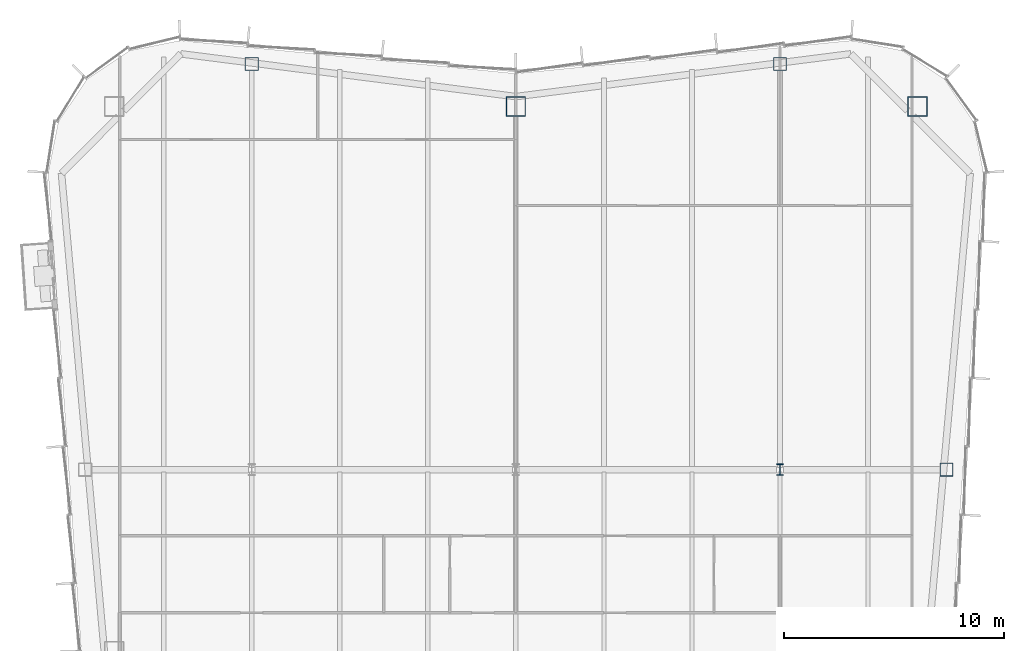
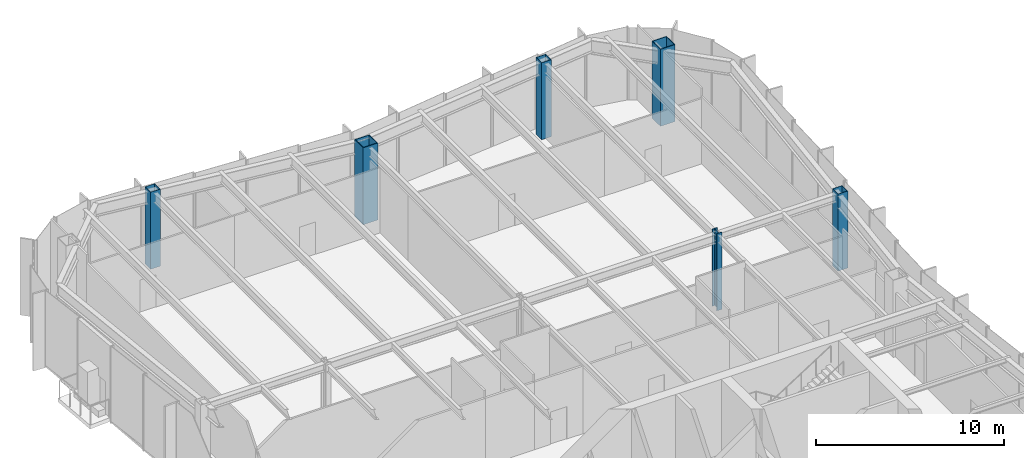
# One storey, part 2 of 14: 6 columns.
"""IFC4 building model written with IfcOpenShell, lengths in metres."""

from ifc_helpers import new_model, si_unit, direction, frame, origin, origin_2d, place, context, subcontext, project, spatial, hollow_rectangle, i_section, extrude, material, material_profile, profile_set, type_object, element, save


model = new_model("IFC4")

# Units and contexts
model_context = context("Model", 3, precision=1e-05, world=origin(), true_north=direction((0.0, 1.0)))
body_context = subcontext(model_context, "Body", "Model", "MODEL_VIEW")
ifc_project = project(units=[si_unit("LENGTHUNIT", "METRE"), si_unit("AREAUNIT", "SQUARE_METRE"), si_unit("VOLUMEUNIT", "CUBIC_METRE"), si_unit("PLANEANGLEUNIT", "RADIAN"), si_unit("MASSUNIT", "GRAM", prefix="KILO")], contexts=[model_context])

# Site, building, storey
site_placement = place(None, origin())
site = spatial("IfcSite", under=ifc_project, at=site_placement, CompositionType="ELEMENT")
building_placement = place(site_placement, origin())
building = spatial("IfcBuilding", under=site, at=building_placement, Name="Verdant Reach Tower", CompositionType="ELEMENT")
storey_placement = place(building_placement, frame((0.0, 0.0, 289.0)))
storey = spatial("IfcBuildingStorey", under=building, at=storey_placement, Name="L66", CompositionType="ELEMENT", Elevation=289.0)

# Columns
ifc_material = material(Name="Steel S460", Category="steel")
ifc_material_profile_1 = material_profile(ifc_material, i_section(OverallWidth=0.305908203125, OverallDepth=0.52392578125, WebThickness=0.012451171875, FlangeThickness=0.0400390625, FilletRadius=0.027099609375, at=origin_2d()), Name="HEM 500")
ifc_profile_set_1 = profile_set([ifc_material_profile_1], Name="Steel S460")
column_type_1 = type_object("IfcColumnType", Name="ST-COL-HEM500", PredefinedType="COLUMN", material=ifc_profile_set_1)
column_placement = place(storey_placement, frame((12.0, 49.5, 0.0), z_axis=(0.0, 0.0, 1.0), x_axis=(1.0, 0.0, 0.0)))
element("IfcColumn", 1, at=column_placement, inside=storey, type_object=column_type_1, Name="Interior column 3, L66", PredefinedType="COLUMN", context=body_context, shape_type="SweptSolid", body=[
    extrude(i_section(OverallWidth=0.305908203125, OverallDepth=0.52392578125, WebThickness=0.012451171875, FlangeThickness=0.0400390625, FilletRadius=0.027099609375, at=origin_2d()), origin(), (0.0, 0.0, 1.0), 5.0),
])
ifc_material_profile_2 = material_profile(ifc_material, hollow_rectangle(XDim=0.60009765625, YDim=0.60009765625, WallThickness=0.02490234375, at=origin_2d()), Name="WB 600x600x25")
ifc_profile_set_2 = profile_set([ifc_material_profile_2], Name="Steel S460")
column_type_2 = type_object("IfcColumnType", Name="ST-COL-WB600x600x25", PredefinedType="COLUMN", material=ifc_profile_set_2)
for number, where, z_axis, x_axis, name in (
    (2, (-12.0, 67.930419921875, 0.0), (0.0, 0.0, 1.0), (1.0, 0.0, 0.0), "Perimeter column north 1, L66"),
    (3, (12.0, 67.930419921875, 0.0), (0.0, 0.0, 1.0), (1.0, 0.0, 0.0), "Perimeter column north 2, L66"),
    (4, (19.569091796875, 49.5, 0.0), (0.0, 0.0, 1.0), (1.0, 0.0, 0.0), "Perimeter column east 2, L66"),
):
    element("IfcColumn", number, at=place(storey_placement, frame(where, z_axis=z_axis, x_axis=x_axis)), inside=storey, type_object=column_type_2, Name=name, PredefinedType="COLUMN", context=body_context, shape_type="SweptSolid", body=[
        extrude(hollow_rectangle(XDim=0.60009765625, YDim=0.60009765625, WallThickness=0.02490234375, at=origin_2d()), origin(), (0.0, 0.0, 1.0), 5.0),
    ])
ifc_material_profile_3 = material_profile(ifc_material, hollow_rectangle(XDim=0.89990234375, YDim=0.89990234375, WallThickness=0.0400390625, at=origin_2d()), Name="WB 900x900x40")
ifc_profile_set_3 = profile_set([ifc_material_profile_3], Name="Steel S460")
column_type_3 = type_object("IfcColumnType", Name="ST-COL-WB900x900x40", PredefinedType="COLUMN", material=ifc_profile_set_3)
for number, where, z_axis, x_axis, name in (
    (5, (0.0, 66.0, 0.0), (0.0, 0.0, 1.0), (1.0, 0.0, 0.0), "Mega column north, L66"),
    (6, (18.25, 66.0, 0.0), (0.0, 0.0, 1.0), (1.0, 0.0, 0.0), "Mega column north-east, L66"),
):
    element("IfcColumn", number, at=place(storey_placement, frame(where, z_axis=z_axis, x_axis=x_axis)), inside=storey, type_object=column_type_3, Name=name, PredefinedType="COLUMN", context=body_context, shape_type="SweptSolid", body=[
        extrude(hollow_rectangle(XDim=0.89990234375, YDim=0.89990234375, WallThickness=0.0400390625, at=origin_2d()), origin(), (0.0, 0.0, 1.0), 5.0),
    ])

save(model, "model.ifc")
